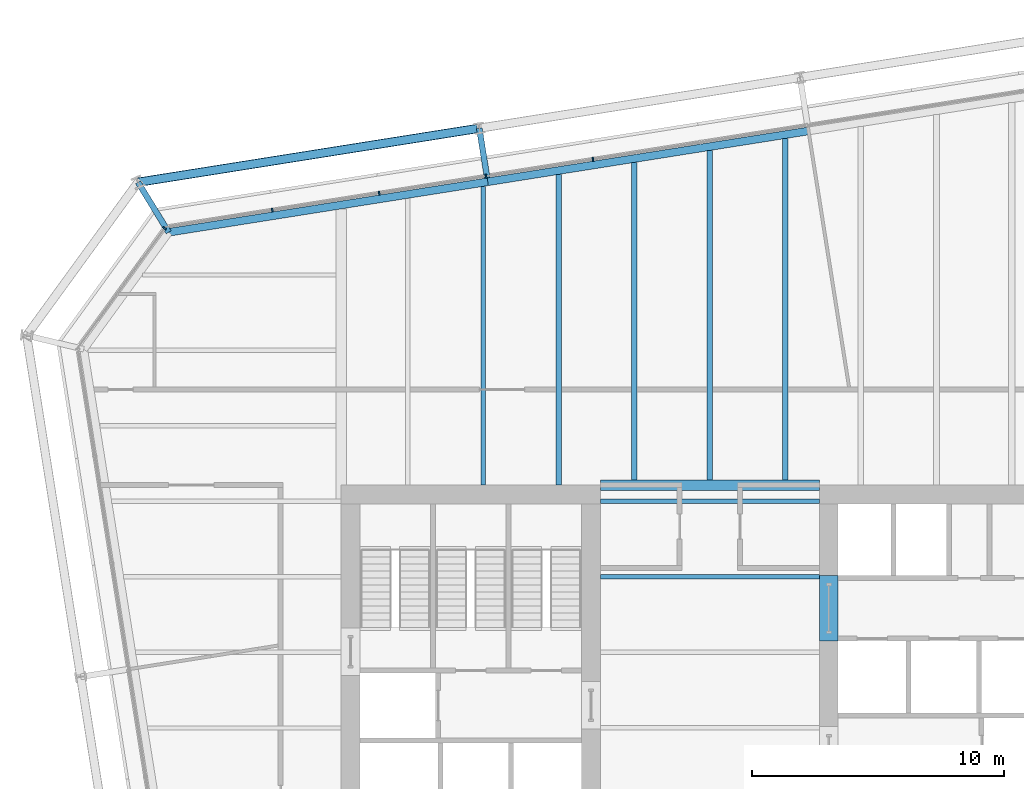
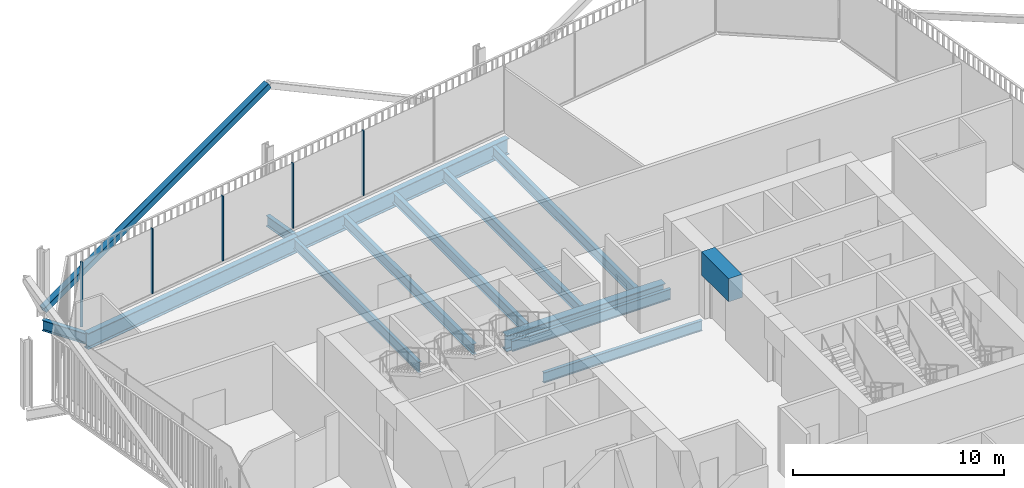
# One storey, part 11 of 22: 13 beams, 6 members, 2 elements without a shape of their own.
"""IFC4 building model written with IfcOpenShell, lengths in metres."""

from ifc_helpers import new_model, si_unit, direction, frame, origin, origin_2d, place, context, subcontext, project, spatial, rectangle, hollow_rectangle, i_section, extrude, material, layer, layer_set, material_profile, profile_set, type_object, element, aggregate, save


model = new_model("IFC4")

# Units and contexts
model_context = context("Model", 3, precision=1e-05, world=origin(), true_north=direction((0.0, 1.0)))
body_context = subcontext(model_context, "Body", "Model", "MODEL_VIEW")
ifc_project = project(units=[si_unit("LENGTHUNIT", "METRE"), si_unit("AREAUNIT", "SQUARE_METRE"), si_unit("VOLUMEUNIT", "CUBIC_METRE"), si_unit("PLANEANGLEUNIT", "RADIAN"), si_unit("MASSUNIT", "GRAM", prefix="KILO")], contexts=[model_context])

# Site, building, storey
site_placement = place(None, origin())
site = spatial("IfcSite", under=ifc_project, at=site_placement, CompositionType="ELEMENT")
building_placement = place(site_placement, origin())
building = spatial("IfcBuilding", under=site, at=building_placement, Name="Millrace Tower", CompositionType="ELEMENT")
storey_placement = place(building_placement, frame((0.0, 0.0, 145.10009765625)))
storey = spatial("IfcBuildingStorey", under=building, at=storey_placement, Name="L32", CompositionType="ELEMENT", Elevation=145.10009765625)

# Curtain wall, members
ifc_material_1 = material(Name="Aluminium and glass", Category="aluminium")
ifc_layer = layer(ifc_material_1, 0.14990234375)
ifc_layer_set = layer_set([ifc_layer], Name="Aluminium and glass")
curtain_wall_type = type_object("IfcCurtainWallType", Name="CW-1 office vision curtain wall", PredefinedType="NOTDEFINED", material=ifc_layer_set)
placement = place(storey_placement, origin())
curtain_wall_1 = element("IfcCurtainWall", 1, at=placement, inside=storey, type_object=curtain_wall_type, Name="Curtain wall C-F06 L32", PredefinedType="NOTDEFINED")
ifc_material_2 = material(Name="Aluminium", Category="aluminium")
ifc_material_profile_1 = material_profile(ifc_material_2, rectangle(XDim=0.06494140625, YDim=0.14990234375, at=origin_2d()))
ifc_profile_set_1 = profile_set([ifc_material_profile_1], Name="Aluminium")
member_type_1 = type_object("IfcMemberType", Name="CW-1 office vision curtain wall mullion", PredefinedType="MULLION", material=ifc_profile_set_1)
member_1_placement = place(storey_placement, frame((-4.6435546875, 22.59326171875, 0.139892578125), z_axis=(0.0, 0.0, 1.0), x_axis=(-0.98768833929, -0.15643447328, 0.0)))
member_1 = element("IfcMember", 2, at=member_1_placement, type_object=member_type_1, Name="CW1 mullion C-F06.6", PredefinedType="MULLION", context=body_context, shape_type="SweptSolid", body=[
    extrude(rectangle(XDim=0.06494140625, YDim=0.14990234375, at=origin_2d()), origin(), (0.0, 0.0, 1.0), 3.760009765625),
])
member_2_placement = place(storey_placement, frame((-8.890625, 21.920654296875, 0.139892578125), z_axis=(0.0, 0.0, 1.0), x_axis=(-0.98768833929, -0.15643447328, 0.0)))
member_2 = element("IfcMember", 3, at=member_2_placement, type_object=member_type_1, Name="CW1 mullion C-F06.7", PredefinedType="MULLION", context=body_context, shape_type="SweptSolid", body=[
    extrude(rectangle(XDim=0.06494140625, YDim=0.14990234375, at=origin_2d()), origin(), (0.0, 0.0, 1.0), 3.760009765625),
])
member_3_placement = place(storey_placement, frame((-13.1376953125, 21.248046875, 0.139892578125), z_axis=(0.0, 0.0, 1.0), x_axis=(-0.98768833929, -0.15643447328, 0.0)))
member_3 = element("IfcMember", 4, at=member_3_placement, type_object=member_type_1, Name="CW1 mullion C-F06.8", PredefinedType="MULLION", context=body_context, shape_type="SweptSolid", body=[
    extrude(rectangle(XDim=0.06494140625, YDim=0.14990234375, at=origin_2d()), origin(), (0.0, 0.0, 1.0), 3.760009765625),
])
member_4_placement = place(storey_placement, frame((-17.384765625, 20.575439453125, 0.139892578125), z_axis=(0.0, 0.0, 1.0), x_axis=(-0.98768833929, -0.15643447328, 0.0)))
member_4 = element("IfcMember", 5, at=member_4_placement, type_object=member_type_1, Name="CW1 mullion C-F06.9", PredefinedType="MULLION", context=body_context, shape_type="SweptSolid", body=[
    extrude(rectangle(XDim=0.06494140625, YDim=0.14990234375, at=origin_2d()), origin(), (0.0, 0.0, 1.0), 3.760009765625),
])
aggregate(curtain_wall_1, [member_1, member_2, member_3, member_4])

# Curtain wall, member
curtain_wall_2 = element("IfcCurtainWall", 6, at=placement, inside=storey, type_object=curtain_wall_type, Name="Curtain wall C-F07 L32", PredefinedType="NOTDEFINED")
member_5_placement = place(storey_placement, frame((-21.667724609375, 19.8515625, 0.139892578125), z_axis=(0.0, 0.0, 1.0), x_axis=(-0.587785269844, -0.809016981623, 0.0)))
member_5 = element("IfcMember", 7, at=member_5_placement, type_object=member_type_1, Name="CW1 mullion C-F07.1", PredefinedType="MULLION", context=body_context, shape_type="SweptSolid", body=[
    extrude(rectangle(XDim=0.06494140625, YDim=0.14990234375, at=origin_2d()), origin(), (0.0, 0.0, 1.0), 3.760009765625),
])
aggregate(curtain_wall_2, [member_5])

# Beam
ifc_material_3 = material(Name="Concrete C70", Category="concrete")
ifc_material_profile_2 = material_profile(ifc_material_3, rectangle(XDim=0.75, YDim=1.340087890625, at=origin_2d()))
ifc_profile_set_2 = profile_set([ifc_material_profile_2], Name="Concrete C70")
beam_type_1 = type_object("IfcBeamType", Name="Coupling beam 750 x 1340 Concrete C70, 2000 opening", PredefinedType="BEAM", material=ifc_profile_set_2)
beam_1_placement = place(storey_placement, frame((4.72509765625, 6.050048828125, 3.06982421875), z_axis=(0.0, -1.0, 0.0), x_axis=(1.0, 0.0, 0.0)))
element("IfcBeam", 8, at=beam_1_placement, inside=storey, type_object=beam_type_1, Name="Coupling beam E L32", PredefinedType="BEAM", context=body_context, shape_type="SweptSolid", body=[
    extrude(rectangle(XDim=0.75, YDim=1.340087890625, at=origin_2d()), origin(), (0.0, 0.0, 1.0), 2.60009765625),
])

# Member
ifc_material_4 = material(Name="Steel ASTM A500 Grade C", Category="steel")
ifc_material_profile_3 = material_profile(ifc_material_4, hollow_rectangle(XDim=0.355712890625, YDim=0.355712890625, WallThickness=0.015869140625, InnerFilletRadius=0.008056640625, OuterFilletRadius=0.02392578125, at=origin_2d()))
ifc_profile_set_3 = profile_set([ifc_material_profile_3], Name="Steel ASTM A500 Grade C")
member_type_2 = type_object("IfcMemberType", Name="Exoskeleton brace HSS14x14x5/8", PredefinedType="BRACE", material=ifc_profile_set_3)
member_6_placement = place(storey_placement, frame((-22.718994140625, 21.679443359375, 0.39990234375), z_axis=(0.879904612171, 0.139370908249, 0.454250617407), x_axis=(-0.156442906258, 0.987687003601, 0.0)))
element("IfcMember", 9, at=member_6_placement, inside=storey, type_object=member_type_2, Name="BRC-C-L32-12", PredefinedType="BRACE", context=body_context, shape_type="SweptSolid", body=[
    extrude(hollow_rectangle(XDim=0.355712890625, YDim=0.355712890625, WallThickness=0.015869140625, InnerFilletRadius=0.008056640625, OuterFilletRadius=0.02392578125, at=origin_2d()), origin(), (0.0, 0.0, 1.0), 15.409912109375),
])

# Beams
ifc_material_5 = material(Name="Steel ASTM A992 Grade 50", Category="steel")
ifc_material_profile_4 = material_profile(ifc_material_5, i_section(OverallWidth=0.177978515625, OverallDepth=0.599365234375, WebThickness=0.010009765625, FlangeThickness=0.012939453125, FilletRadius=0.012939453125, at=origin_2d()))
ifc_profile_set_4 = profile_set([ifc_material_profile_4], Name="Steel ASTM A992 Grade 50")
beam_type_2 = type_object("IfcBeamType", Name="Floor beam W24x55", PredefinedType="JOIST", material=ifc_profile_set_4)
for number, where, z_axis, x_axis, name in (
    (10, (-4.35009765625, 6.0, -0.459716796875), (1.0, 0.0, 0.0), (0.0, 1.0, 0.0), "BM-C-L32-S1-S025"),
    (11, (-4.35009765625, 9.0, -0.459716796875), (1.0, 0.0, 0.0), (0.0, 1.0, 0.0), "BM-C-L32-S1-S028"),
):
    element("IfcBeam", number, at=place(storey_placement, frame(where, z_axis=z_axis, x_axis=x_axis)), inside=storey, type_object=beam_type_2, Name=name, PredefinedType="JOIST", context=body_context, shape_type="SweptSolid", body=[
        extrude(i_section(OverallWidth=0.177978515625, OverallDepth=0.599365234375, WebThickness=0.010009765625, FlangeThickness=0.012939453125, FilletRadius=0.012939453125, at=origin_2d()), origin(), (0.0, 0.0, 1.0), 8.7001953125),
    ])
ifc_material_6 = material(Name="Steel ASTM A992 Grade 50", Category="steel")
ifc_material_profile_5 = material_profile(ifc_material_6, i_section(OverallWidth=0.1787109375, OverallDepth=0.60205078125, WebThickness=0.010986328125, FlangeThickness=0.014892578125, FilletRadius=0.0126953125, at=origin_2d()))
ifc_profile_set_5 = profile_set([ifc_material_profile_5], Name="Steel ASTM A992 Grade 50")
beam_type_3 = type_object("IfcBeamType", Name="Floor beam W24x62", PredefinedType="JOIST", material=ifc_profile_set_5)
beam_2_placement = place(storey_placement, frame((-9.0, 9.64990234375, -0.461181640625), z_axis=(0.0, 1.0, 0.0), x_axis=(-1.0, 0.0, 0.0)))
element("IfcBeam", 12, at=beam_2_placement, inside=storey, type_object=beam_type_3, Name="BM-C-L32-S1-S041", PredefinedType="JOIST", context=body_context, shape_type="SweptSolid", body=[
    extrude(i_section(OverallWidth=0.1787109375, OverallDepth=0.60205078125, WebThickness=0.010986328125, FlangeThickness=0.014892578125, FilletRadius=0.0126953125, at=origin_2d()), origin(), (0.0, 0.0, 1.0), 11.866455078125),
])
ifc_material_7 = material(Name="Steel ASTM A992 Grade 50", Category="steel")
ifc_material_profile_6 = material_profile(ifc_material_7, i_section(OverallWidth=0.228271484375, OverallDepth=0.607177734375, WebThickness=0.01123046875, FlangeThickness=0.017333984375, FilletRadius=0.0126953125, at=origin_2d()))
ifc_profile_set_6 = profile_set([ifc_material_profile_6], Name="Steel ASTM A992 Grade 50")
beam_type_4 = type_object("IfcBeamType", Name="Floor beam W24x76", PredefinedType="JOIST", material=ifc_profile_set_6)
beam_3_placement = place(storey_placement, frame((-6.0, 9.64990234375, -0.463623046875), z_axis=(0.0, 1.0, 0.0), x_axis=(-1.0, 0.0, 0.0)))
element("IfcBeam", 13, at=beam_3_placement, inside=storey, type_object=beam_type_4, Name="BM-C-L32-S1-S043", PredefinedType="JOIST", context=body_context, shape_type="SweptSolid", body=[
    extrude(i_section(OverallWidth=0.228271484375, OverallDepth=0.607177734375, WebThickness=0.01123046875, FlangeThickness=0.017333984375, FilletRadius=0.0126953125, at=origin_2d()), origin(), (0.0, 0.0, 1.0), 12.341552734375),
])
beam_4_placement = place(storey_placement, frame((-3.0, 9.859619140625, -0.463623046875), z_axis=(0.0, 1.0, 0.0), x_axis=(-1.0, 0.0, 0.0)))
element("IfcBeam", 14, at=beam_4_placement, inside=storey, type_object=beam_type_4, Name="BM-C-L32-S1-S045", PredefinedType="JOIST", context=body_context, shape_type="SweptSolid", body=[
    extrude(i_section(OverallWidth=0.228271484375, OverallDepth=0.607177734375, WebThickness=0.01123046875, FlangeThickness=0.017333984375, FilletRadius=0.0126953125, at=origin_2d()), origin(), (0.0, 0.0, 1.0), 12.60693359375),
])
beam_5_placement = place(storey_placement, frame((0.0, 9.859619140625, -0.463623046875), z_axis=(0.0, 1.0, 0.0), x_axis=(-1.0, 0.0, 0.0)))
element("IfcBeam", 15, at=beam_5_placement, inside=storey, type_object=beam_type_4, Name="BM-C-L32-S1-S047", PredefinedType="JOIST", context=body_context, shape_type="SweptSolid", body=[
    extrude(i_section(OverallWidth=0.228271484375, OverallDepth=0.607177734375, WebThickness=0.01123046875, FlangeThickness=0.017333984375, FilletRadius=0.0126953125, at=origin_2d()), origin(), (0.0, 0.0, 1.0), 13.08203125),
])
beam_6_placement = place(storey_placement, frame((3.0, 9.859619140625, -0.463623046875), z_axis=(0.0, 1.0, 0.0), x_axis=(-1.0, 0.0, 0.0)))
element("IfcBeam", 16, at=beam_6_placement, inside=storey, type_object=beam_type_4, Name="BM-C-L32-S1-S049", PredefinedType="JOIST", context=body_context, shape_type="SweptSolid", body=[
    extrude(i_section(OverallWidth=0.228271484375, OverallDepth=0.607177734375, WebThickness=0.01123046875, FlangeThickness=0.017333984375, FilletRadius=0.0126953125, at=origin_2d()), origin(), (0.0, 0.0, 1.0), 13.55712890625),
])
ifc_material_8 = material(Name="Steel ASTM A992 Grade 50", Category="steel")
ifc_material_profile_7 = material_profile(ifc_material_8, i_section(OverallWidth=0.419189453125, OverallDepth=0.927001953125, WebThickness=0.019287109375, FlangeThickness=0.031982421875, FilletRadius=0.024169921875, at=origin_2d()))
ifc_profile_set_7 = profile_set([ifc_material_profile_7], Name="Steel ASTM A992 Grade 50")
beam_type_5 = type_object("IfcBeamType", Name="Girder short span W36x231", PredefinedType="BEAM", material=ifc_profile_set_7)
beam_7_placement = place(storey_placement, frame((-4.35009765625, 9.64990234375, -0.62353515625), z_axis=(1.0, 0.0, 0.0), x_axis=(0.0, 1.0, 0.0)))
element("IfcBeam", 17, at=beam_7_placement, inside=storey, type_object=beam_type_5, Name="BM-C-L32-S1-G061", PredefinedType="BEAM", context=body_context, shape_type="SweptSolid", body=[
    extrude(i_section(OverallWidth=0.419189453125, OverallDepth=0.927001953125, WebThickness=0.019287109375, FlangeThickness=0.031982421875, FilletRadius=0.024169921875, at=origin_2d()), origin(), (0.0, 0.0, 1.0), 8.7001953125),
])
ifc_material_9 = material(Name="Steel ASTM A992 Grade 50", Category="steel")
ifc_material_profile_8 = material_profile(ifc_material_9, i_section(OverallWidth=0.23046875, OverallDepth=0.6171875, WebThickness=0.01318359375, FlangeThickness=0.022216796875, FilletRadius=0.012939453125, at=origin_2d()))
ifc_profile_set_8 = profile_set([ifc_material_profile_8], Name="Steel ASTM A992 Grade 50")
beam_type_6 = type_object("IfcBeamType", Name="Link beam W24x94", PredefinedType="BEAM", material=ifc_profile_set_8)
beam_8_placement = place(storey_placement, frame((-21.5009765625, 19.69189453125, -0.46875), z_axis=(-0.522512938711, 0.852631355792, 0.0), x_axis=(-0.852631355792, -0.522512938711, 0.0)))
element("IfcBeam", 18, at=beam_8_placement, inside=storey, type_object=beam_type_6, Name="LNK-C-L32-S1-05", PredefinedType="BEAM", context=body_context, shape_type="SweptSolid", body=[
    extrude(i_section(OverallWidth=0.23046875, OverallDepth=0.6171875, WebThickness=0.01318359375, FlangeThickness=0.022216796875, FilletRadius=0.012939453125, at=origin_2d()), origin(), (0.0, 0.0, 1.0), 2.3310546875),
])
beam_9_placement = place(storey_placement, frame((-8.8466796875, 21.8515625, -0.46875), z_axis=(-0.156476509441, 0.987681680499, 0.0), x_axis=(-0.987681680499, -0.156476509441, 0.0)))
element("IfcBeam", 19, at=beam_9_placement, inside=storey, type_object=beam_type_6, Name="LNK-C-L32-S1-06", PredefinedType="BEAM", context=body_context, shape_type="SweptSolid", body=[
    extrude(i_section(OverallWidth=0.23046875, OverallDepth=0.6171875, WebThickness=0.01318359375, FlangeThickness=0.022216796875, FilletRadius=0.012939453125, at=origin_2d()), origin(), (0.0, 0.0, 1.0), 2.000244140625),
])
ifc_material_10 = material(Name="Steel ASTM A992 Grade 50", Category="steel")
ifc_material_profile_9 = material_profile(ifc_material_10, i_section(OverallWidth=0.307373046875, OverallDepth=0.927001953125, WebThickness=0.01953125, FlangeThickness=0.031982421875, FilletRadius=0.01904296875, at=origin_2d()))
ifc_profile_set_9 = profile_set([ifc_material_profile_9], Name="Steel ASTM A992 Grade 50")
beam_type_7 = type_object("IfcBeamType", Name="Ring beam medium span W36x194", PredefinedType="SPANDREL", material=ifc_profile_set_9)
beam_10_placement = place(storey_placement, frame((-21.5009765625, 19.69189453125, -0.62353515625), z_axis=(0.987688058438, 0.156436246498, 0.0), x_axis=(-0.156436246498, 0.987688058438, 0.0)))
element("IfcBeam", 20, at=beam_10_placement, inside=storey, type_object=beam_type_7, Name="RNG-C-L32-S1-05", PredefinedType="SPANDREL", context=body_context, shape_type="SweptSolid", body=[
    extrude(i_section(OverallWidth=0.307373046875, OverallDepth=0.927001953125, WebThickness=0.01953125, FlangeThickness=0.031982421875, FilletRadius=0.01904296875, at=origin_2d()), origin(), (0.0, 0.0, 1.0), 12.836181640625),
])
beam_11_placement = place(storey_placement, frame((-8.82275390625, 21.699951171875, -0.62353515625), z_axis=(0.987687659758, 0.156438763615, 0.0), x_axis=(-0.156438763615, 0.987687659758, 0.0)))
element("IfcBeam", 21, at=beam_11_placement, inside=storey, type_object=beam_type_7, Name="RNG-C-L32-S1-06", PredefinedType="SPANDREL", context=body_context, shape_type="SweptSolid", body=[
    extrude(i_section(OverallWidth=0.307373046875, OverallDepth=0.927001953125, WebThickness=0.01953125, FlangeThickness=0.031982421875, FilletRadius=0.01904296875, at=origin_2d()), origin(), (0.0, 0.0, 1.0), 12.900146484375),
])

save(model, "model.ifc")
